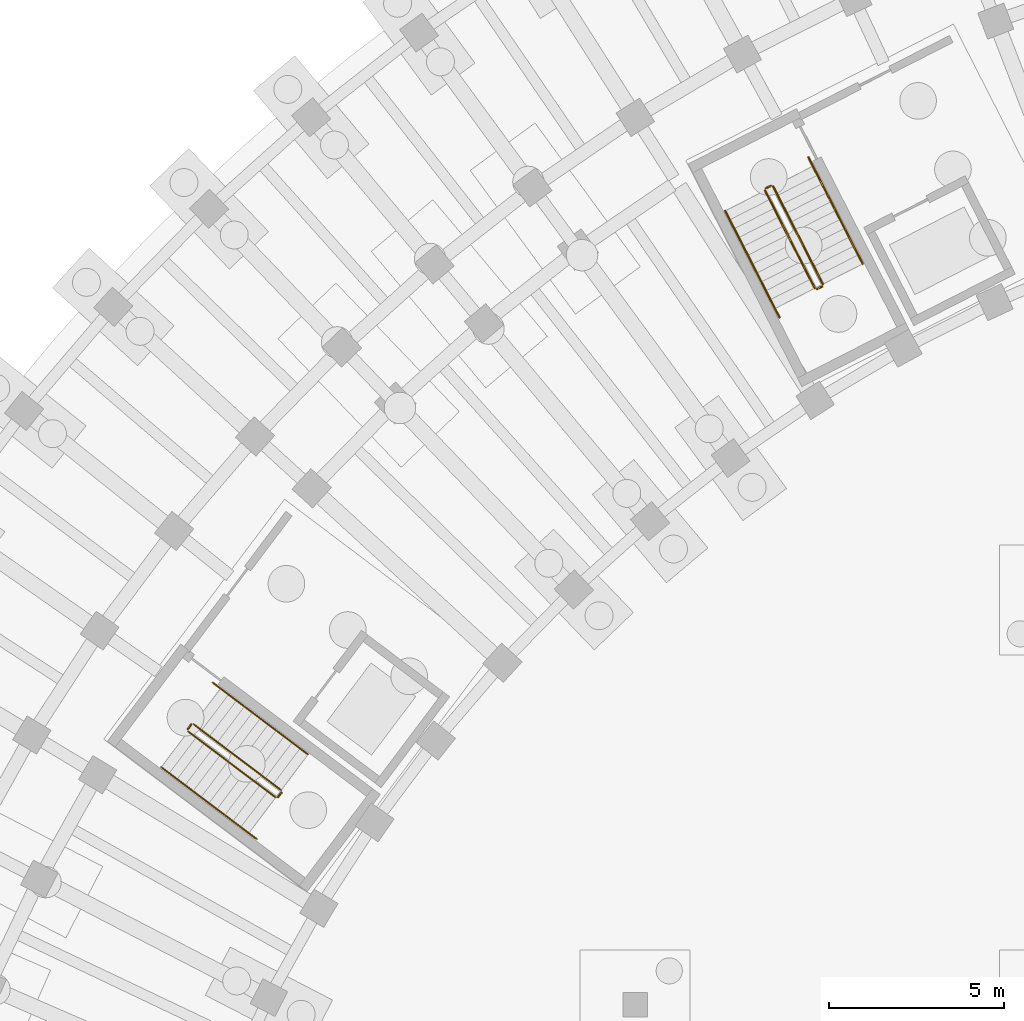
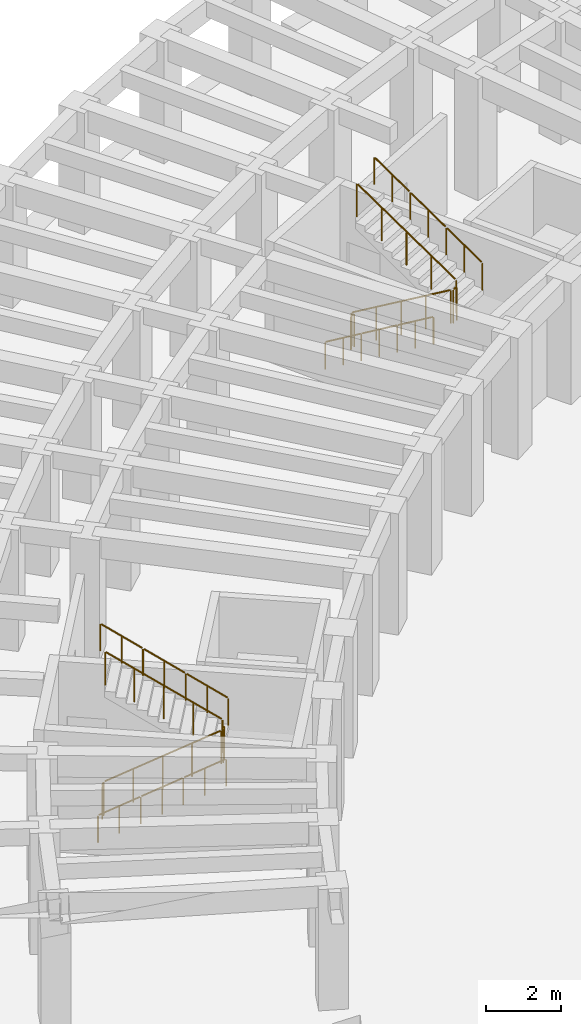
# One storey, part 26 of 29: 20 railings.
"""IFC4 building model written with IfcOpenShell, lengths in metres."""

from ifc_helpers import new_model, si_unit, direction, frame, origin, origin_2d, place, context, subcontext, project, spatial, circle, extrude, material, type_object, element, save


model = new_model("IFC4")

# Units and contexts
model_context = context("Model", 3, precision=1e-05, world=origin(), true_north=direction((0.0, 1.0)))
body_context = subcontext(model_context, "Body", "Model", "MODEL_VIEW")
ifc_project = project(units=[si_unit("LENGTHUNIT", "METRE"), si_unit("AREAUNIT", "SQUARE_METRE"), si_unit("VOLUMEUNIT", "CUBIC_METRE"), si_unit("PLANEANGLEUNIT", "RADIAN"), si_unit("MASSUNIT", "GRAM", prefix="KILO")], contexts=[model_context])

# Site, building, storey
site_placement = place(None, origin())
site = spatial("IfcSite", under=ifc_project, at=site_placement, CompositionType="ELEMENT")
building_placement = place(site_placement, origin())
building = spatial("IfcBuilding", under=site, at=building_placement, Name="Tanwirah Colonnade Gardens", CompositionType="ELEMENT")
storey_placement = place(building_placement, frame((0.0, 0.0, -4.199951171875)))
storey = spatial("IfcBuildingStorey", under=building, at=storey_placement, Name="B1", CompositionType="ELEMENT", Elevation=-4.199951171875)

# Railings
ifc_material_1 = material(Name="Powder-coated galvanized steel", Category="steel")
railing_type_1 = type_object("IfcRailingType", Name="GRD-ST110", PredefinedType="GUARDRAIL", material=ifc_material_1)
railing_1_placement = place(storey_placement, frame((39.718994140625, 103.715576171875, 0.175048828125)))
element("IfcRailing", 1, at=railing_1_placement, inside=storey, type_object=railing_type_1, Name="B1 ST-A1 stair guard 1", PredefinedType="GUARDRAIL", context=body_context, shape_type="SweptSolid", body=[
    extrude(circle(Radius=0.02392578125, at=origin_2d()), frame((0.01220703125, -0.023681640625, 1.09228515625), z_axis=(0.386838257499, -0.759341798302, 0.523217159396), x_axis=(0.891037713976, 0.453929281137, 0.0)), (0.0, 0.0, 1.0), 3.6162109375),
    extrude(circle(Radius=0.02099609375, at=origin_2d()), origin(), (0.0, 0.0, 1.0), 1.049072265625),
    extrude(circle(Radius=0.02099609375, at=origin_2d()), frame((0.355712890625, -0.6982421875, 0.481201171875)), (0.0, 0.0, 1.0), 1.049072265625),
    extrude(circle(Radius=0.02099609375, at=origin_2d()), frame((0.71142578125, -1.396728515625, 0.96240234375)), (0.0, 0.0, 1.0), 1.049072265625),
    extrude(circle(Radius=0.02099609375, at=origin_2d()), frame((1.0673828125, -2.09521484375, 1.443603515625)), (0.0, 0.0, 1.0), 1.049072265625),
    extrude(circle(Radius=0.02099609375, at=origin_2d()), frame((1.423095703125, -2.79345703125, 1.9248046875)), (0.0, 0.0, 1.0), 1.049072265625),
])
railing_2_placement = place(storey_placement, frame((41.20947265625, 100.900390625, 2.099853515625)))
element("IfcRailing", 2, at=railing_2_placement, inside=storey, type_object=railing_type_1, Name="B1 ST-A1 stair guard 2", PredefinedType="GUARDRAIL", context=body_context, shape_type="SweptSolid", body=[
    extrude(circle(Radius=0.02392578125, at=origin_2d()), frame((0.02783203125, 0.01416015625, 1.076171875), z_axis=(0.891353773095, 0.453308340084, 0.0), x_axis=(-0.453308340084, 0.891353773095, 0.0)), (0.0, 0.0, 1.0), 0.097412109375),
    extrude(circle(Radius=0.02099609375, at=origin_2d()), origin(), (0.0, 0.0, 1.0), 1.049072265625),
    extrude(circle(Radius=0.02099609375, at=origin_2d()), frame((0.142578125, 0.072509765625, 0.0)), (0.0, 0.0, 1.0), 1.049072265625),
])
railing_3_placement = place(storey_placement, frame((41.373779296875, 101.040283203125, 2.27490234375)))
element("IfcRailing", 3, at=railing_3_placement, inside=storey, type_object=railing_type_1, Name="B1 ST-A1 stair guard 3", PredefinedType="GUARDRAIL", context=body_context, shape_type="SweptSolid", body=[
    extrude(circle(Radius=0.02392578125, at=origin_2d()), frame((-0.01220703125, 0.023681640625, 1.092529296875), z_axis=(-0.386900749601, 0.75926783468, 0.523278286553), x_axis=(-0.890990163661, -0.454022607652, 0.0)), (0.0, 0.0, 1.0), 3.6162109375),
    extrude(circle(Radius=0.02099609375, at=origin_2d()), origin(), (0.0, 0.0, 1.0), 1.049072265625),
    extrude(circle(Radius=0.02099609375, at=origin_2d()), frame((-0.35595703125, 0.6982421875, 0.481201171875)), (0.0, 0.0, 1.0), 1.049072265625),
    extrude(circle(Radius=0.02099609375, at=origin_2d()), frame((-0.711669921875, 1.396484375, 0.96240234375)), (0.0, 0.0, 1.0), 1.049072265625),
    extrude(circle(Radius=0.02099609375, at=origin_2d()), frame((-1.0673828125, 2.094970703125, 1.44384765625)), (0.0, 0.0, 1.0), 1.049072265625),
    extrude(circle(Radius=0.02099609375, at=origin_2d()), frame((-1.42333984375, 2.793212890625, 1.925048828125)), (0.0, 0.0, 1.0), 1.049072265625),
])
railing_4_placement = place(storey_placement, frame((39.74072265625, 103.78271484375, 0.0)))
element("IfcRailing", 4, at=railing_4_placement, inside=storey, type_object=railing_type_1, Name="B1 ST-A1 stair guard 4", PredefinedType="GUARDRAIL", context=body_context, shape_type="SweptSolid", body=[
    extrude(circle(Radius=0.02392578125, at=origin_2d()), frame((0.02783203125, 0.01416015625, 1.076171875), z_axis=(0.89073666619, 0.4545197372, 0.0), x_axis=(-0.4545197372, 0.89073666619, 0.0)), (0.0, 0.0, 1.0), 0.09765625),
    extrude(circle(Radius=0.02099609375, at=origin_2d()), origin(), (0.0, 0.0, 1.0), 1.049072265625),
    extrude(circle(Radius=0.02099609375, at=origin_2d()), frame((0.142578125, 0.07275390625, 0.0)), (0.0, 0.0, 1.0), 1.049072265625),
])
railing_5_placement = place(storey_placement, frame((23.201416015625, 88.22900390625, 0.175048828125)))
element("IfcRailing", 5, at=railing_5_placement, inside=storey, type_object=railing_type_1, Name="B1 ST-A2 stair guard 1", PredefinedType="GUARDRAIL", context=body_context, shape_type="SweptSolid", body=[
    extrude(circle(Radius=0.02392578125, at=origin_2d()), frame((0.021240234375, -0.01611328125, 1.09228515625), z_axis=(0.680617226129, -0.512851981623, 0.523204583736), x_axis=(0.601792655518, 0.798652364777, 0.0)), (0.0, 0.0, 1.0), 3.616455078125),
    extrude(circle(Radius=0.02099609375, at=origin_2d()), origin(), (0.0, 0.0, 1.0), 1.049072265625),
    extrude(circle(Radius=0.02099609375, at=origin_2d()), frame((0.6259765625, -0.4716796875, 0.481201171875)), (0.0, 0.0, 1.0), 1.049072265625),
    extrude(circle(Radius=0.02099609375, at=origin_2d()), frame((1.251953125, -0.943359375, 0.96240234375)), (0.0, 0.0, 1.0), 1.049072265625),
    extrude(circle(Radius=0.02099609375, at=origin_2d()), frame((1.8779296875, -1.4150390625, 1.443603515625)), (0.0, 0.0, 1.0), 1.049072265625),
    extrude(circle(Radius=0.02099609375, at=origin_2d()), frame((2.50390625, -1.88671875, 1.9248046875)), (0.0, 0.0, 1.0), 1.049072265625),
])
railing_6_placement = place(storey_placement, frame((25.775390625, 86.35205078125, 2.099853515625)))
element("IfcRailing", 6, at=railing_6_placement, inside=storey, type_object=railing_type_1, Name="B1 ST-A2 stair guard 2", PredefinedType="GUARDRAIL", context=body_context, shape_type="SweptSolid", body=[
    extrude(circle(Radius=0.02392578125, at=origin_2d()), frame((0.018798828125, 0.02490234375, 1.076171875), z_axis=(0.600975757569, 0.799267251183, 0.0), x_axis=(-0.799267251183, 0.600975757569, 0.0)), (0.0, 0.0, 1.0), 0.09765625),
    extrude(circle(Radius=0.02099609375, at=origin_2d()), origin(), (0.0, 0.0, 1.0), 1.049072265625),
    extrude(circle(Radius=0.02099609375, at=origin_2d()), frame((0.09619140625, 0.1279296875, 0.0)), (0.0, 0.0, 1.0), 1.049072265625),
])
railing_7_placement = place(storey_placement, frame((25.86181640625, 86.550048828125, 2.27490234375)))
element("IfcRailing", 7, at=railing_7_placement, inside=storey, type_object=railing_type_1, Name="B1 ST-A2 stair guard 3", PredefinedType="GUARDRAIL", context=body_context, shape_type="SweptSolid", body=[
    extrude(circle(Radius=0.02392578125, at=origin_2d()), frame((-0.021240234375, 0.01611328125, 1.092529296875), z_axis=(-0.680616755529, 0.512785264233, 0.523270584764), x_axis=(-0.601742981893, -0.798689791936, 0.0)), (0.0, 0.0, 1.0), 3.616455078125),
    extrude(circle(Radius=0.02099609375, at=origin_2d()), origin(), (0.0, 0.0, 1.0), 1.049072265625),
    extrude(circle(Radius=0.02099609375, at=origin_2d()), frame((-0.6259765625, 0.4716796875, 0.481201171875)), (0.0, 0.0, 1.0), 1.049072265625),
    extrude(circle(Radius=0.02099609375, at=origin_2d()), frame((-1.251953125, 0.943359375, 0.96240234375)), (0.0, 0.0, 1.0), 1.049072265625),
    extrude(circle(Radius=0.02099609375, at=origin_2d()), frame((-1.8779296875, 1.414794921875, 1.44384765625)), (0.0, 0.0, 1.0), 1.049072265625),
    extrude(circle(Radius=0.02099609375, at=origin_2d()), frame((-2.50390625, 1.886474609375, 1.925048828125)), (0.0, 0.0, 1.0), 1.049072265625),
])
railing_8_placement = place(storey_placement, frame((23.191650390625, 88.299072265625, 0.0)))
element("IfcRailing", 8, at=railing_8_placement, inside=storey, type_object=railing_type_1, Name="B1 ST-A2 stair guard 4", PredefinedType="GUARDRAIL", context=body_context, shape_type="SweptSolid", body=[
    extrude(circle(Radius=0.02392578125, at=origin_2d()), frame((0.018798828125, 0.02490234375, 1.076171875), z_axis=(0.602681987584, 0.797981467104, 0.0), x_axis=(-0.797981467104, 0.602681987584, 0.0)), (0.0, 0.0, 1.0), 0.097412109375),
    extrude(circle(Radius=0.02099609375, at=origin_2d()), origin(), (0.0, 0.0, 1.0), 1.049072265625),
    extrude(circle(Radius=0.02099609375, at=origin_2d()), frame((0.096435546875, 0.127685546875, 0.0)), (0.0, 0.0, 1.0), 1.049072265625),
])
ifc_material_2 = material(Name="Brushed bronze stainless steel", Category="steel")
railing_type_2 = type_object("IfcRailingType", Name="HR-ST090", PredefinedType="HANDRAIL", material=ifc_material_2)
railing_9_placement = place(storey_placement, frame((38.578369140625, 103.134521484375, 0.175048828125)))
element("IfcRailing", 9, at=railing_9_placement, inside=storey, type_object=railing_type_2, Name="B1 ST-A1 stair handrail 1", PredefinedType="HANDRAIL", context=body_context, shape_type="SweptSolid", body=[
    extrude(circle(Radius=0.02392578125, at=origin_2d()), frame((0.011962890625, -0.023681640625, 0.892333984375), z_axis=(0.385989546837, -0.757595520937, 0.526365933917), x_axis=(0.891018251792, 0.453967482287, 0.0)), (0.0, 0.0, 1.0), 1.2783203125),
    extrude(circle(Radius=0.02099609375, at=origin_2d()), origin(), (0.0, 0.0, 1.0), 0.848876953125),
    extrude(circle(Radius=0.02099609375, at=origin_2d()), frame((0.2587890625, -0.5078125, 0.35302734375)), (0.0, 0.0, 1.0), 0.848876953125),
    extrude(circle(Radius=0.02099609375, at=origin_2d()), frame((0.517578125, -1.015869140625, 0.705810546875)), (0.0, 0.0, 1.0), 0.848876953125),
])
railing_10_placement = place(storey_placement, frame((39.095947265625, 102.11865234375, 0.880859375)))
element("IfcRailing", 10, at=railing_10_placement, inside=storey, type_object=railing_type_2, Name="B1 ST-A1 stair handrail 2", PredefinedType="HANDRAIL", context=body_context, shape_type="SweptSolid", body=[
    extrude(circle(Radius=0.02392578125, at=origin_2d()), frame((0.011962890625, -0.023681640625, 0.892333984375), z_axis=(0.386005785263, -0.757445314478, 0.526570156123), x_axis=(0.890974108706, 0.454054113091, 0.0)), (0.0, 0.0, 1.0), 1.2783203125),
    extrude(circle(Radius=0.02099609375, at=origin_2d()), origin(), (0.0, 0.0, 1.0), 0.848876953125),
    extrude(circle(Radius=0.02099609375, at=origin_2d()), frame((0.2587890625, -0.5078125, 0.35302734375)), (0.0, 0.0, 1.0), 0.848876953125),
    extrude(circle(Radius=0.02099609375, at=origin_2d()), frame((0.517578125, -1.015625, 0.7060546875)), (0.0, 0.0, 1.0), 0.848876953125),
])
railing_11_placement = place(storey_placement, frame((39.613525390625, 101.10302734375, 1.5869140625)))
element("IfcRailing", 11, at=railing_11_placement, inside=storey, type_object=railing_type_2, Name="B1 ST-A1 stair handrail 3", PredefinedType="HANDRAIL", context=body_context, shape_type="SweptSolid", body=[
    extrude(circle(Radius=0.02392578125, at=origin_2d()), frame((0.011962890625, -0.023681640625, 0.892333984375), z_axis=(0.385952554167, -0.757522914099, 0.526497540874), x_axis=(0.891018251792, 0.453967482287, 0.0)), (0.0, 0.0, 1.0), 1.278564453125),
    extrude(circle(Radius=0.02099609375, at=origin_2d()), origin(), (0.0, 0.0, 1.0), 0.848876953125),
    extrude(circle(Radius=0.02099609375, at=origin_2d()), frame((0.2587890625, -0.5078125, 0.35302734375)), (0.0, 0.0, 1.0), 0.848876953125),
    extrude(circle(Radius=0.02099609375, at=origin_2d()), frame((0.517578125, -1.015869140625, 0.7060546875)), (0.0, 0.0, 1.0), 0.848876953125),
])
railing_12_placement = place(storey_placement, frame((42.514404296875, 101.621337890625, 2.27490234375)))
element("IfcRailing", 12, at=railing_12_placement, inside=storey, type_object=railing_type_2, Name="B1 ST-A1 stair handrail 4", PredefinedType="HANDRAIL", context=body_context, shape_type="SweptSolid", body=[
    extrude(circle(Radius=0.02392578125, at=origin_2d()), frame((-0.011962890625, 0.023681640625, 0.892333984375), z_axis=(-0.385952554167, 0.757522914099, 0.526497540874), x_axis=(-0.891018251792, -0.453967482287, 0.0)), (0.0, 0.0, 1.0), 1.278564453125),
    extrude(circle(Radius=0.02099609375, at=origin_2d()), origin(), (0.0, 0.0, 1.0), 0.848876953125),
    extrude(circle(Radius=0.02099609375, at=origin_2d()), frame((-0.2587890625, 0.5078125, 0.35302734375)), (0.0, 0.0, 1.0), 0.848876953125),
    extrude(circle(Radius=0.02099609375, at=origin_2d()), frame((-0.517578125, 1.015869140625, 0.7060546875)), (0.0, 0.0, 1.0), 0.848876953125),
])
railing_13_placement = place(storey_placement, frame((41.996826171875, 102.63720703125, 2.98095703125)))
element("IfcRailing", 13, at=railing_13_placement, inside=storey, type_object=railing_type_2, Name="B1 ST-A1 stair handrail 5", PredefinedType="HANDRAIL", context=body_context, shape_type="SweptSolid", body=[
    extrude(circle(Radius=0.02392578125, at=origin_2d()), frame((-0.011962890625, 0.023681640625, 0.892333984375), z_axis=(-0.386005785263, 0.757445314478, 0.526570156123), x_axis=(-0.890974108706, -0.454054113091, 0.0)), (0.0, 0.0, 1.0), 1.2783203125),
    extrude(circle(Radius=0.02099609375, at=origin_2d()), origin(), (0.0, 0.0, 1.0), 0.848876953125),
    extrude(circle(Radius=0.02099609375, at=origin_2d()), frame((-0.2587890625, 0.5078125, 0.35302734375)), (0.0, 0.0, 1.0), 0.848876953125),
    extrude(circle(Radius=0.02099609375, at=origin_2d()), frame((-0.517578125, 1.015625, 0.7060546875)), (0.0, 0.0, 1.0), 0.848876953125),
])
railing_14_placement = place(storey_placement, frame((41.479248046875, 103.65283203125, 3.68701171875)))
element("IfcRailing", 14, at=railing_14_placement, inside=storey, type_object=railing_type_2, Name="B1 ST-A1 stair handrail 6", PredefinedType="HANDRAIL", context=body_context, shape_type="SweptSolid", body=[
    extrude(circle(Radius=0.02392578125, at=origin_2d()), frame((-0.011962890625, 0.023681640625, 0.892333984375), z_axis=(-0.385952554167, 0.757522914099, 0.526497540874), x_axis=(-0.891018251792, -0.453967482287, 0.0)), (0.0, 0.0, 1.0), 1.278564453125),
    extrude(circle(Radius=0.02099609375, at=origin_2d()), origin(), (0.0, 0.0, 1.0), 0.848876953125),
    extrude(circle(Radius=0.02099609375, at=origin_2d()), frame((-0.2587890625, 0.5078125, 0.35302734375)), (0.0, 0.0, 1.0), 0.848876953125),
    extrude(circle(Radius=0.02099609375, at=origin_2d()), frame((-0.517578125, 1.015869140625, 0.7060546875)), (0.0, 0.0, 1.0), 0.848876953125),
])
railing_15_placement = place(storey_placement, frame((22.43115234375, 87.206787109375, 0.175048828125)))
element("IfcRailing", 15, at=railing_15_placement, inside=storey, type_object=railing_type_2, Name="B1 ST-A2 stair handrail 1", PredefinedType="HANDRAIL", context=body_context, shape_type="SweptSolid", body=[
    extrude(circle(Radius=0.02392578125, at=origin_2d()), frame((0.021240234375, -0.01611328125, 0.892333984375), z_axis=(0.67901735775, -0.511675724129, 0.526425095537), x_axis=(0.601814606132, 0.798635824294, 0.0)), (0.0, 0.0, 1.0), 1.2783203125),
    extrude(circle(Radius=0.02099609375, at=origin_2d()), origin(), (0.0, 0.0, 1.0), 0.848876953125),
    extrude(circle(Radius=0.02099609375, at=origin_2d()), frame((0.455078125, -0.343017578125, 0.35302734375)), (0.0, 0.0, 1.0), 0.848876953125),
    extrude(circle(Radius=0.02099609375, at=origin_2d()), frame((0.910400390625, -0.68603515625, 0.705810546875)), (0.0, 0.0, 1.0), 0.848876953125),
])
railing_16_placement = place(storey_placement, frame((23.341552734375, 86.520751953125, 0.880859375)))
element("IfcRailing", 16, at=railing_16_placement, inside=storey, type_object=railing_type_2, Name="B1 ST-A2 stair handrail 2", PredefinedType="HANDRAIL", context=body_context, shape_type="SweptSolid", body=[
    extrude(circle(Radius=0.02392578125, at=origin_2d()), frame((0.021240234375, -0.01611328125, 0.892333984375), z_axis=(0.678987148059, -0.511697821232, 0.526442582356), x_axis=(0.601848260386, 0.79861046291, 0.0)), (0.0, 0.0, 1.0), 1.278564453125),
    extrude(circle(Radius=0.02099609375, at=origin_2d()), origin(), (0.0, 0.0, 1.0), 0.848876953125),
    extrude(circle(Radius=0.02099609375, at=origin_2d()), frame((0.455322265625, -0.34326171875, 0.35302734375)), (0.0, 0.0, 1.0), 0.848876953125),
    extrude(circle(Radius=0.02099609375, at=origin_2d()), frame((0.91064453125, -0.686279296875, 0.7060546875)), (0.0, 0.0, 1.0), 0.848876953125),
])
railing_17_placement = place(storey_placement, frame((24.252197265625, 85.83447265625, 1.5869140625)))
element("IfcRailing", 17, at=railing_17_placement, inside=storey, type_object=railing_type_2, Name="B1 ST-A2 stair handrail 3", PredefinedType="HANDRAIL", context=body_context, shape_type="SweptSolid", body=[
    extrude(circle(Radius=0.02392578125, at=origin_2d()), frame((0.021240234375, -0.01611328125, 0.892333984375), z_axis=(0.6789522671, -0.51162667486, 0.526556705941), x_axis=(0.601814606132, 0.798635824294, 0.0)), (0.0, 0.0, 1.0), 1.2783203125),
    extrude(circle(Radius=0.02099609375, at=origin_2d()), origin(), (0.0, 0.0, 1.0), 0.848876953125),
    extrude(circle(Radius=0.02099609375, at=origin_2d()), frame((0.455078125, -0.343017578125, 0.35302734375)), (0.0, 0.0, 1.0), 0.848876953125),
    extrude(circle(Radius=0.02099609375, at=origin_2d()), frame((0.910400390625, -0.68603515625, 0.7060546875)), (0.0, 0.0, 1.0), 0.848876953125),
])
for number, where, name in (
    (18, (26.632080078125, 87.572265625, 2.27490234375), "B1 ST-A2 stair handrail 4"),
    (19, (25.7216796875, 88.25830078125, 2.98095703125), "B1 ST-A2 stair handrail 5"),
):
    element("IfcRailing", number, at=place(storey_placement, frame(where)), inside=storey, type_object=railing_type_2, Name=name, PredefinedType="HANDRAIL", context=body_context, shape_type="SweptSolid", body=[
        extrude(circle(Radius=0.02392578125, at=origin_2d()), frame((-0.021240234375, 0.01611328125, 0.892333984375), z_axis=(-0.6789522671, 0.51162667486, 0.526556705941), x_axis=(-0.601814606132, -0.798635824294, 0.0)), (0.0, 0.0, 1.0), 1.2783203125),
        extrude(circle(Radius=0.02099609375, at=origin_2d()), origin(), (0.0, 0.0, 1.0), 0.848876953125),
        extrude(circle(Radius=0.02099609375, at=origin_2d()), frame((-0.455078125, 0.343017578125, 0.35302734375)), (0.0, 0.0, 1.0), 0.848876953125),
        extrude(circle(Radius=0.02099609375, at=origin_2d()), frame((-0.910400390625, 0.68603515625, 0.7060546875)), (0.0, 0.0, 1.0), 0.848876953125),
    ])
railing_18_placement = place(storey_placement, frame((24.811279296875, 88.9443359375, 3.68701171875)))
element("IfcRailing", 20, at=railing_18_placement, inside=storey, type_object=railing_type_2, Name="B1 ST-A2 stair handrail 6", PredefinedType="HANDRAIL", context=body_context, shape_type="SweptSolid", body=[
    extrude(circle(Radius=0.02392578125, at=origin_2d()), frame((-0.021240234375, 0.01611328125, 0.892333984375), z_axis=(-0.679050390884, 0.511563431202, 0.526491616739), x_axis=(-0.601711682591, -0.798713372264, 0.0)), (0.0, 0.0, 1.0), 1.278564453125),
    extrude(circle(Radius=0.02099609375, at=origin_2d()), origin(), (0.0, 0.0, 1.0), 0.848876953125),
    extrude(circle(Radius=0.02099609375, at=origin_2d()), frame((-0.455322265625, 0.343017578125, 0.35302734375)), (0.0, 0.0, 1.0), 0.848876953125),
    extrude(circle(Radius=0.02099609375, at=origin_2d()), frame((-0.91064453125, 0.68603515625, 0.7060546875)), (0.0, 0.0, 1.0), 0.848876953125),
])

save(model, "model.ifc")
